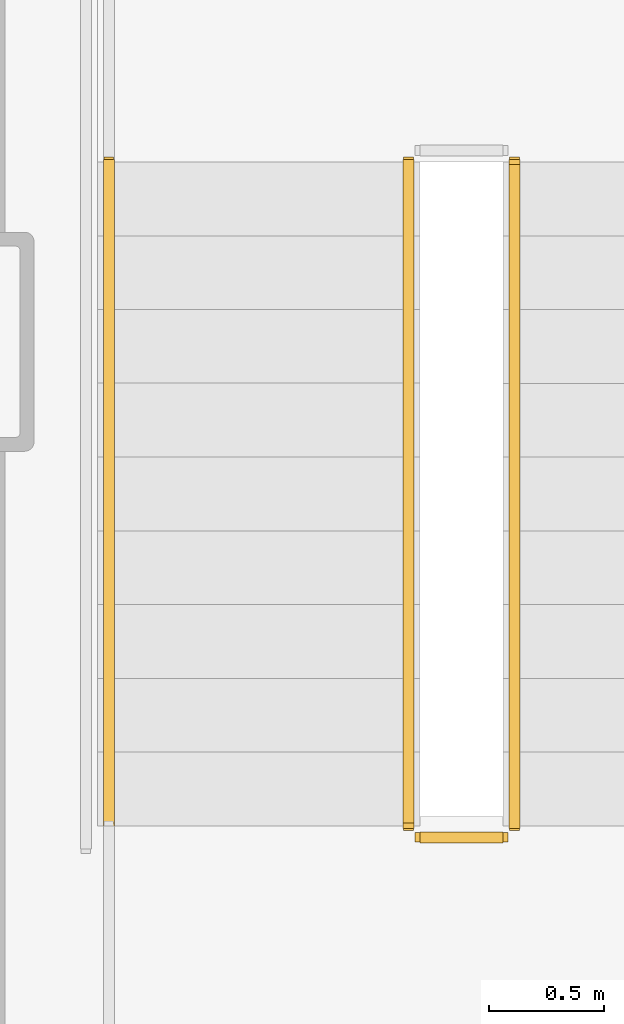
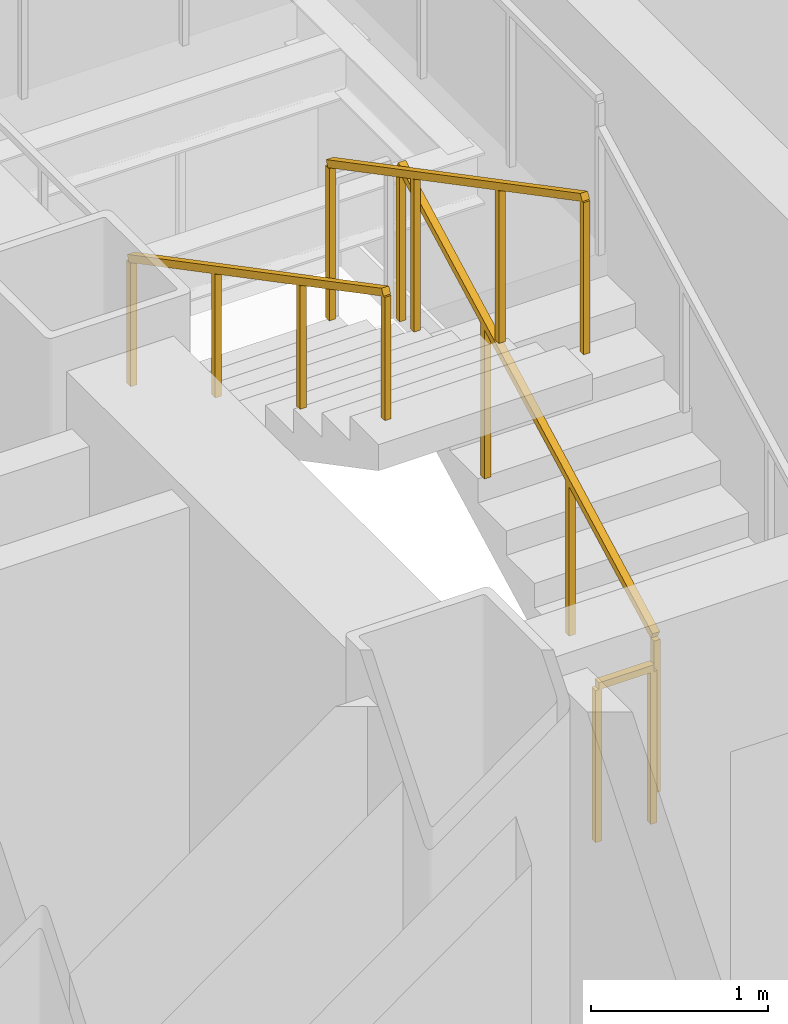
# One storey, part 10 of 13: 4 railings.
"""IFC4 building model written with IfcOpenShell, lengths in metres."""

import ifcopenshell
import ifcopenshell.guid

model = None  # the IFC model being written
_history = None  # IfcOwnerHistory: only IFC2X3 demands one
_inside = {}  # id of a spatial element -> (the spatial element, [elements in it])
_under = {}  # id of a project, library or spatial element -> (it, [spatial elements below it])
_declared = {}  # id of a project -> (the project, [libraries it declares])
_typed = {}  # id of a type object -> (the type object, [elements of that type])
_made_of = {}  # id of a material, layer set ... -> (it, [elements and type objects made of it])


def new_model(schema):
    """Start an empty IFC model of exactly this schema.

    Asked for "IFC4X3", IfcOpenShell would pick the latest addendum, in which some entities
    have other attributes; the version numbers below select the first issue.
    IFC2X3 requires an IfcOwnerHistory on every rooted entity: one is made here for all.
    """
    global model, _history
    if schema == "IFC4X3":
        model = ifcopenshell.file(schema_version=(4, 3, 0, 0))
    else:
        model = ifcopenshell.file(schema=schema)
    _inside.clear()
    _under.clear()
    _declared.clear()
    _typed.clear()
    _made_of.clear()
    _history = None
    if model.schema == "IFC2X3":
        org = make("IfcOrganization", Name="unknown")
        user = make(
            "IfcPersonAndOrganization",
            ThePerson=make("IfcPerson", FamilyName="unknown"),
            TheOrganization=org,
        )
        app = make(
            "IfcApplication",
            ApplicationDeveloper=org,
            Version="unknown",
            ApplicationFullName="unknown",
            ApplicationIdentifier="unknown",
        )
        _history = make(
            "IfcOwnerHistory",
            OwningUser=user,
            OwningApplication=app,
            ChangeAction="ADDED",
            CreationDate=0,
        )
    return model


def make(cls, **values):
    """One entity of the class cls with the attributes given. An attribute that is None is left unset."""
    return model.create_entity(
        cls, **{name: value for name, value in values.items() if value is not None}
    )


def rooted(cls, **values):
    """An entity with a GlobalId (a new one), such as an element, a storey or a relation."""
    return make(cls, GlobalId=ifcopenshell.guid.new(), OwnerHistory=_history, **values)


def si_unit(unit_type, name, prefix=None):
    """IfcSIUnit, for example si_unit("LENGTHUNIT", "METRE", prefix="MILLI")."""
    return make("IfcSIUnit", UnitType=unit_type, Prefix=prefix, Name=name)


def assignment(units):
    """IfcUnitAssignment: the units of a project."""
    return None if units is None else make("IfcUnitAssignment", Units=units)


def point(xyz):
    """IfcCartesianPoint."""
    return None if xyz is None else make("IfcCartesianPoint", Coordinates=xyz)


def direction(xyz):
    """IfcDirection."""
    return None if xyz is None else make("IfcDirection", DirectionRatios=xyz)


def frame(location, z_axis=None, x_axis=None):
    """IfcAxis2Placement3D, a coordinate frame: its origin and axes. An axis left out is left unset."""
    return make(
        "IfcAxis2Placement3D",
        Location=point(location),
        Axis=direction(z_axis),
        RefDirection=direction(x_axis),
    )


def frame_2d(location, x_axis=None):
    """IfcAxis2Placement2D, a coordinate frame in the plane: its origin and x axis."""
    return make(
        "IfcAxis2Placement2D", Location=point(location), RefDirection=direction(x_axis)
    )


def origin():
    """The frame at (0, 0, 0) with its axes left unset."""
    return frame((0.0, 0.0, 0.0))


def origin_2d():
    """The frame at (0, 0) in the plane with its x axis left unset."""
    return frame_2d((0.0, 0.0))


def place(relative_to, where):
    """IfcLocalPlacement: puts the frame where relative to a parent placement (None: the world)."""
    return make(
        "IfcLocalPlacement", PlacementRelTo=relative_to, RelativePlacement=where
    )


def context(
    kind, dimensions, precision=None, world=None, true_north=None, identifier=None
):
    """IfcGeometricRepresentationContext, for example the 3D "Model" context."""
    return make(
        "IfcGeometricRepresentationContext",
        ContextIdentifier=identifier,
        ContextType=kind,
        CoordinateSpaceDimension=dimensions,
        Precision=precision,
        WorldCoordinateSystem=world,
        TrueNorth=true_north,
    )


def subcontext(parent, identifier, kind, view, scale=None):
    """IfcGeometricRepresentationSubContext, for example "Body" below "Model"."""
    return make(
        "IfcGeometricRepresentationSubContext",
        ContextIdentifier=identifier,
        ContextType=kind,
        ParentContext=parent,
        TargetScale=scale,
        TargetView=view,
    )


def project(units=None, contexts=None):
    """IfcProject with its units and contexts."""
    return rooted(
        "IfcProject",
        Name="project",
        RepresentationContexts=contexts,
        UnitsInContext=assignment(units),
    )


def spatial(cls, under=None, at=None, **own):
    """A site, building, storey or space (cls), placed at a placement, below another one or the project."""
    s = rooted(cls, ObjectPlacement=at, **own)
    if under is not None:
        _under.setdefault(under.id(), (under, []))[1].append(s)
    return s


def profile(cls, at=None, kind="AREA", **sizes):
    """A parametric profile (cls). Its sizes go by their IFC names, for example OverallWidth=200.0."""
    return make(cls, ProfileType=kind, Position=at, **sizes)


def rectangle(**sizes):
    """IfcRectangleProfileDef."""
    return profile("IfcRectangleProfileDef", **sizes)


def extrude(swept, where, along, depth):
    """IfcExtrudedAreaSolid: the profile swept, set in the frame where, extruded along a direction by depth."""
    return make(
        "IfcExtrudedAreaSolid",
        SweptArea=swept,
        Position=where,
        ExtrudedDirection=direction(along),
        Depth=depth,
    )


def shape(context_of_items, identifier, shape_type, items):
    """IfcShapeRepresentation: the items that make up one representation, for example the "Body"."""
    return make(
        "IfcShapeRepresentation",
        ContextOfItems=context_of_items,
        RepresentationIdentifier=identifier,
        RepresentationType=shape_type,
        Items=items,
    )


def material(Name=None, Category=None):
    """IfcMaterial."""
    return make("IfcMaterial", Name=Name, Category=Category)


def layer(
    of_material, thickness, ventilated=None, Name=None, Category=None, Priority=None
):
    """IfcMaterialLayer: one layer of a wall or slab, of a material (None: an air gap)."""
    return make(
        "IfcMaterialLayer",
        Material=of_material,
        LayerThickness=thickness,
        IsVentilated=ventilated,
        Name=Name,
        Category=Category,
        Priority=Priority,
    )


def layer_set(layers, Name=None):
    """IfcMaterialLayerSet."""
    return make("IfcMaterialLayerSet", MaterialLayers=layers, LayerSetName=Name)


def made_of(thing, what):
    """Note that an element or type object is made of a material, layer set ...; save() writes the relation."""
    if what is not None:
        _made_of.setdefault(what.id(), (what, []))[1].append(thing)
    return thing


def type_object(cls, material=None, **own):
    """A type object (cls), such as IfcWallType, which elements share."""
    return made_of(rooted(cls, **own), material)


def element(
    cls,
    number,
    at=None,
    inside=None,
    cuts=None,
    type_object=None,
    material=None,
    context=None,
    identifier="Body",
    shape_type=None,
    held_by="IfcProductDefinitionShape",
    body=None,
    shapes=None,
    **own,
):
    """One element of the class cls, such as IfcWall. Its Tag is "e" and its number.

    at: its placement. inside: the storey or other place that contains it. cuts: it is an
    opening in that element (IfcRelVoidsElement). A single representation is given by context,
    identifier, shape_type and body (its items); several are given by shapes. held_by: the class
    of the entity that holds the representations. save() writes the other relations.
    """
    e = rooted(cls, Tag="e%d" % number, ObjectPlacement=at, **own)
    if body is not None:
        shapes = [shape(context, identifier, shape_type, body)]
    if shapes is not None:
        e.Representation = make(held_by, Representations=shapes)
    if inside is not None:
        _inside.setdefault(inside.id(), (inside, []))[1].append(e)
    if cuts is not None:
        rooted(
            "IfcRelVoidsElement", RelatingBuildingElement=cuts, RelatedOpeningElement=e
        )
    if type_object is not None:
        _typed.setdefault(type_object.id(), (type_object, []))[1].append(e)
    return made_of(e, material)


def aggregate(whole, parts):
    """IfcRelAggregates: a whole, such as a stair, and the parts it consists of."""
    return rooted("IfcRelAggregates", RelatingObject=whole, RelatedObjects=parts)


def save(model, path):
    """Write the relations noted so far, then the file.

    IfcRelAggregates (storeys below a building ...), IfcRelContainedInSpatialStructure (elements
    in a storey), IfcRelDefinesByType, IfcRelAssociatesMaterial and IfcRelDeclares: one each for
    every whole, place, type object, material and project.
    """
    for whole, parts in _under.values():
        aggregate(whole, parts)
    for where, things in _inside.values():
        rooted(
            "IfcRelContainedInSpatialStructure",
            RelatedElements=things,
            RelatingStructure=where,
        )
    for kind, things in _typed.values():
        rooted("IfcRelDefinesByType", RelatedObjects=things, RelatingType=kind)
    for what, things in _made_of.values():
        rooted("IfcRelAssociatesMaterial", RelatedObjects=things, RelatingMaterial=what)
    for by, libraries in _declared.values():
        rooted("IfcRelDeclares", RelatingContext=by, RelatedDefinitions=libraries)
    model.write(path)


model = new_model("IFC4")

# Units and contexts
model_context = context("Model", 3, precision=1e-05, world=origin(), true_north=direction((0.0, 1.0)))
body_context = subcontext(model_context, "Body", "Model", "MODEL_VIEW")
ifc_project = project(units=[si_unit("LENGTHUNIT", "METRE"), si_unit("AREAUNIT", "SQUARE_METRE"), si_unit("VOLUMEUNIT", "CUBIC_METRE"), si_unit("PLANEANGLEUNIT", "RADIAN"), si_unit("MASSUNIT", "GRAM", prefix="KILO")], contexts=[model_context])

# Site, building, storey
site_placement = place(None, origin())
site = spatial("IfcSite", under=ifc_project, at=site_placement, CompositionType="ELEMENT")
building_placement = place(site_placement, origin())
building = spatial("IfcBuilding", under=site, at=building_placement, Name="Rocaltana Carrier Exchange", CompositionType="ELEMENT")
storey_placement = place(building_placement, frame((0.0, 0.0, 69.760009765625)))
storey = spatial("IfcBuildingStorey", under=building, at=storey_placement, Name="L21", CompositionType="ELEMENT", Elevation=69.760009765625)

# Railings
ifc_material_1 = material(Name="Brushed Architectural Stainless Tube", Category="steel")
ifc_layer_1 = layer(ifc_material_1, 0.048095703125)
ifc_layer_set_1 = layer_set([ifc_layer_1], Name="Brushed Architectural Stainless Tube")
railing_type_1 = type_object("IfcRailingType", Name="Stair Wall Handrail 920", PredefinedType="HANDRAIL", material=ifc_layer_set_1)
railing_1_placement = place(storey_placement, frame((-5.25, 0.780029296875, 1.847900390625)))
element("IfcRailing", 1, at=railing_1_placement, inside=storey, type_object=railing_type_1, Name="L21 ST-1 stair handrail 2", PredefinedType="HANDRAIL", context=body_context, shape_type="SweptSolid", body=[
    extrude(rectangle(XDim=0.048095703125, YDim=0.048095703125, at=origin_2d()), frame((0.0, 0.0, 0.8759765625), z_axis=(0.0, -0.8853801414, 0.46486772873), x_axis=(1.0, 0.0, 0.0)), (0.0, 0.0, 1.0), 3.2529296875),
    extrude(rectangle(XDim=0.0419921875, YDim=0.0419921875, at=origin_2d()), origin(), (0.0, 0.0, 1.0), 0.851806640625),
    extrude(rectangle(XDim=0.0419921875, YDim=0.0419921875, at=origin_2d()), frame((0.0, -0.9599609375, 0.504150390625)), (0.0, 0.0, 1.0), 0.851806640625),
    extrude(rectangle(XDim=0.0419921875, YDim=0.0419921875, at=origin_2d()), frame((0.0, -1.920166015625, 1.008056640625)), (0.0, 0.0, 1.0), 0.851806640625),
    extrude(rectangle(XDim=0.0419921875, YDim=0.0419921875, at=origin_2d()), frame((0.0, -2.880126953125, 1.51220703125)), (0.0, 0.0, 1.0), 0.851806640625),
])
ifc_material_2 = material(Name="Powder-Coated Aluminium 6063-T6", Category="aluminium")
ifc_layer_2 = layer(ifc_material_2, 0.048095703125)
ifc_layer_set_2 = layer_set([ifc_layer_2], Name="Powder-Coated Aluminium 6063-T6")
railing_type_2 = type_object("IfcRailingType", Name="Stair Well Guardrail 1100", PredefinedType="GUARDRAIL", material=ifc_layer_set_2)
railing_2_placement = place(storey_placement, frame((-3.489990234375, -2.10009765625, 0.16796875)))
element("IfcRailing", 2, at=railing_2_placement, inside=storey, type_object=railing_type_2, Name="L21 ST-1 stair guard 1", PredefinedType="GUARDRAIL", context=body_context, shape_type="SweptSolid", body=[
    extrude(rectangle(XDim=0.048095703125, YDim=0.048095703125, at=origin_2d()), frame((0.0, 0.0, 1.076171875), z_axis=(0.0, 0.885411030485, 0.464808893091), x_axis=(-1.0, 0.0, 0.0)), (0.0, 0.0, 1.0), 3.2529296875),
    extrude(rectangle(XDim=0.0419921875, YDim=0.0419921875, at=origin_2d()), origin(), (0.0, 0.0, 1.0), 1.052001953125),
    extrude(rectangle(XDim=0.0419921875, YDim=0.0419921875, at=origin_2d()), frame((0.0, 0.9599609375, 0.50390625)), (0.0, 0.0, 1.0), 1.052001953125),
    extrude(rectangle(XDim=0.0419921875, YDim=0.0419921875, at=origin_2d()), frame((0.0, 1.920166015625, 1.008056640625)), (0.0, 0.0, 1.0), 1.052001953125),
    extrude(rectangle(XDim=0.0419921875, YDim=0.0419921875, at=origin_2d()), frame((0.0, 2.880126953125, 1.511962890625)), (0.0, 0.0, 1.0), 1.052001953125),
])
railing_3_placement = place(storey_placement, frame((-3.949951171875, 0.780029296875, 1.847900390625)))
element("IfcRailing", 3, at=railing_3_placement, inside=storey, type_object=railing_type_2, Name="L21 ST-1 stair guard 6", PredefinedType="GUARDRAIL", context=body_context, shape_type="SweptSolid", body=[
    extrude(rectangle(XDim=0.048095703125, YDim=0.048095703125, at=origin_2d()), frame((0.0, 0.0, 1.076171875), z_axis=(0.0, -0.8853801414, 0.46486772873), x_axis=(1.0, 0.0, 0.0)), (0.0, 0.0, 1.0), 3.2529296875),
    extrude(rectangle(XDim=0.0419921875, YDim=0.0419921875, at=origin_2d()), origin(), (0.0, 0.0, 1.0), 1.052001953125),
    extrude(rectangle(XDim=0.0419921875, YDim=0.0419921875, at=origin_2d()), frame((0.0, -0.9599609375, 0.504150390625)), (0.0, 0.0, 1.0), 1.052001953125),
    extrude(rectangle(XDim=0.0419921875, YDim=0.0419921875, at=origin_2d()), frame((0.0, -1.920166015625, 1.008056640625)), (0.0, 0.0, 1.0), 1.052001953125),
    extrude(rectangle(XDim=0.0419921875, YDim=0.0419921875, at=origin_2d()), frame((0.0, -2.880126953125, 1.51220703125)), (0.0, 0.0, 1.0), 1.052001953125),
])
railing_4_placement = place(storey_placement, frame((-3.5400390625, -2.14990234375, 0.0)))
element("IfcRailing", 4, at=railing_4_placement, inside=storey, type_object=railing_type_2, Name="L21 ST-1 stair guard 7", PredefinedType="GUARDRAIL", context=body_context, shape_type="SweptSolid", body=[
    extrude(rectangle(XDim=0.048095703125, YDim=0.048095703125, at=origin_2d()), frame((0.0, 0.0, 1.076171875), z_axis=(-1.0, 0.0, 0.0), x_axis=(0.0, -1.0, 0.0)), (0.0, 0.0, 1.0), 0.35986328125),
    extrude(rectangle(XDim=0.0419921875, YDim=0.0419921875, at=origin_2d()), origin(), (0.0, 0.0, 1.0), 1.052001953125),
    extrude(rectangle(XDim=0.0419921875, YDim=0.0419921875, at=origin_2d()), frame((-0.35986328125, 0.0, 0.0)), (0.0, 0.0, 1.0), 1.052001953125),
])

save(model, "model.ifc")
